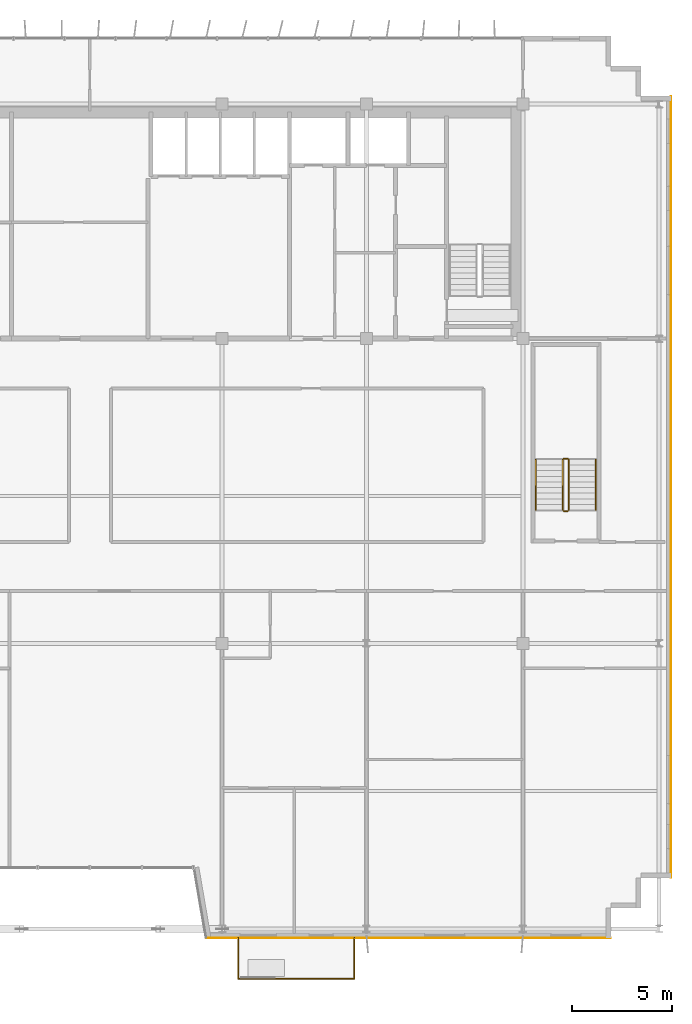
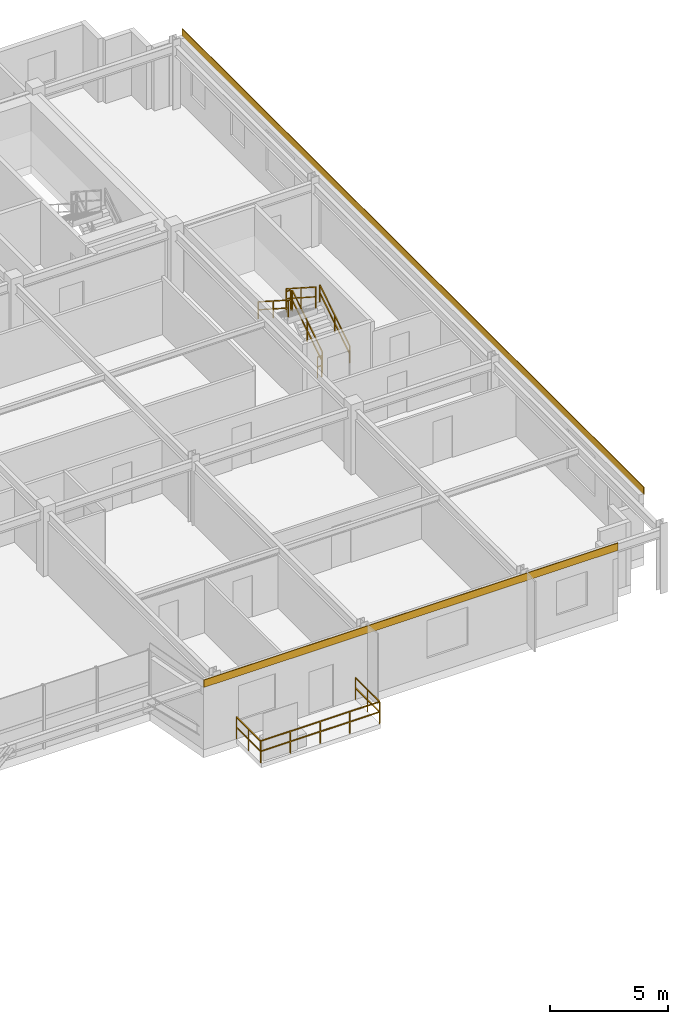
# One storey, part 27 of 28: 9 railings, 2 coverings.
"""IFC4 building model written with IfcOpenShell, lengths in metres."""

from ifc_helpers import new_model, si_unit, direction, frame, origin, origin_2d, place, context, subcontext, project, spatial, rectangle, extrude, source, transform, mapped, material, layer, layer_set, type_object, element, save


model = new_model("IFC4")

# Units and contexts
model_context = context("Model", 3, precision=1e-05, world=origin(), true_north=direction((0.0, 1.0)))
body_context = subcontext(model_context, "Body", "Model", "MODEL_VIEW")
ifc_project = project(units=[si_unit("LENGTHUNIT", "METRE"), si_unit("AREAUNIT", "SQUARE_METRE"), si_unit("VOLUMEUNIT", "CUBIC_METRE"), si_unit("PLANEANGLEUNIT", "RADIAN"), si_unit("MASSUNIT", "GRAM", prefix="KILO")], contexts=[model_context])

# Site, building, storey
site_placement = place(None, origin())
site = spatial("IfcSite", under=ifc_project, at=site_placement, CompositionType="ELEMENT")
building_placement = place(site_placement, origin())
building = spatial("IfcBuilding", under=site, at=building_placement, Name="Trelvane Seafront Commons", CompositionType="ELEMENT")
storey_placement = place(building_placement, frame((0.0, 0.0, 295.5)))
storey = spatial("IfcBuildingStorey", under=building, at=storey_placement, Name="L77", CompositionType="ELEMENT", Elevation=295.5)

# Railings
ifc_material_1 = material(Name="Stainless steel balustrade", Category="steel")
railing_type_1 = type_object("IfcRailingType", Name="ARCH-RAIL-BAL1150", PredefinedType="BALUSTRADE", material=ifc_material_1)
railing_1_placement = place(storey_placement, frame((44.60009765625, 3.5, 0.0)))
element("IfcRailing", 1, at=railing_1_placement, inside=storey, type_object=railing_type_1, Name="RL-L77-BAL1-01", PredefinedType="BALUSTRADE", context=body_context, shape_type="SweptSolid", body=[
    extrude(rectangle(XDim=0.048095703125, YDim=0.048095703125, at=origin_2d()), frame((0.0, 0.0, 1.1259765625), z_axis=(0.0, -1.0, 0.0), x_axis=(1.0, 0.0, 0.0)), (0.0, 0.0, 1.0), 2.0400390625),
    extrude(rectangle(XDim=0.048095703125, YDim=0.048095703125, at=origin_2d()), frame((0.0, 0.0, 0.597900390625), z_axis=(0.0, -1.0, 0.0), x_axis=(1.0, 0.0, 0.0)), (0.0, 0.0, 1.0), 2.0400390625),
    extrude(rectangle(XDim=0.0419921875, YDim=0.0419921875, at=origin_2d()), origin(), (0.0, 0.0, 1.0), 1.1259765625),
    extrude(rectangle(XDim=0.0419921875, YDim=0.0419921875, at=origin_2d()), frame((0.0, -1.02001953125, 0.0)), (0.0, 0.0, 1.0), 1.1259765625),
    extrude(rectangle(XDim=0.0419921875, YDim=0.0419921875, at=origin_2d()), frame((0.0, -2.0400390625, 0.0)), (0.0, 0.0, 1.0), 1.1259765625),
])
railing_2_placement = place(storey_placement, frame((44.60009765625, 1.4599609375, 0.0)))
element("IfcRailing", 2, at=railing_2_placement, inside=storey, type_object=railing_type_1, Name="RL-L77-BAL1-02", PredefinedType="BALUSTRADE", context=body_context, shape_type="SweptSolid", body=[
    extrude(rectangle(XDim=0.048095703125, YDim=0.048095703125, at=origin_2d()), frame((0.0, 0.0, 1.1259765625), z_axis=(1.0, 0.0, 0.0), x_axis=(0.0, 1.0, 0.0)), (0.0, 0.0, 1.0), 5.7998046875),
    extrude(rectangle(XDim=0.048095703125, YDim=0.048095703125, at=origin_2d()), frame((0.0, 0.0, 0.597900390625), z_axis=(1.0, 0.0, 0.0), x_axis=(0.0, 1.0, 0.0)), (0.0, 0.0, 1.0), 5.7998046875),
    extrude(rectangle(XDim=0.0419921875, YDim=0.0419921875, at=origin_2d()), origin(), (0.0, 0.0, 1.0), 1.1259765625),
    extrude(rectangle(XDim=0.0419921875, YDim=0.0419921875, at=origin_2d()), frame((1.449951171875, 0.0, 0.0)), (0.0, 0.0, 1.0), 1.1259765625),
    extrude(rectangle(XDim=0.0419921875, YDim=0.0419921875, at=origin_2d()), frame((2.89990234375, 0.0, 0.0)), (0.0, 0.0, 1.0), 1.1259765625),
    extrude(rectangle(XDim=0.0419921875, YDim=0.0419921875, at=origin_2d()), frame((4.349853515625, 0.0, 0.0)), (0.0, 0.0, 1.0), 1.1259765625),
    extrude(rectangle(XDim=0.0419921875, YDim=0.0419921875, at=origin_2d()), frame((5.7998046875, 0.0, 0.0)), (0.0, 0.0, 1.0), 1.1259765625),
])
railing_3_placement = place(storey_placement, frame((50.39990234375, 1.4599609375, 0.0)))
element("IfcRailing", 3, at=railing_3_placement, inside=storey, type_object=railing_type_1, Name="RL-L77-BAL1-03", PredefinedType="BALUSTRADE", context=body_context, shape_type="SweptSolid", body=[
    extrude(rectangle(XDim=0.048095703125, YDim=0.048095703125, at=origin_2d()), frame((0.0, 0.0, 1.1259765625), z_axis=(0.0, 1.0, 0.0), x_axis=(-1.0, 0.0, 0.0)), (0.0, 0.0, 1.0), 2.0400390625),
    extrude(rectangle(XDim=0.048095703125, YDim=0.048095703125, at=origin_2d()), frame((0.0, 0.0, 0.597900390625), z_axis=(0.0, 1.0, 0.0), x_axis=(-1.0, 0.0, 0.0)), (0.0, 0.0, 1.0), 2.0400390625),
    extrude(rectangle(XDim=0.0419921875, YDim=0.0419921875, at=origin_2d()), origin(), (0.0, 0.0, 1.0), 1.1259765625),
    extrude(rectangle(XDim=0.0419921875, YDim=0.0419921875, at=origin_2d()), frame((0.0, 1.02001953125, 0.0)), (0.0, 0.0, 1.0), 1.1259765625),
    extrude(rectangle(XDim=0.0419921875, YDim=0.0419921875, at=origin_2d()), frame((0.0, 2.0400390625, 0.0)), (0.0, 0.0, 1.0), 1.1259765625),
])
railing_type_2 = type_object("IfcRailingType", Name="ARCH-SRL-GUARD", PredefinedType="GUARDRAIL", material=ifc_material_1)
railing_4_placement = place(storey_placement, frame((61.10009765625, 24.85009765625, 0.179931640625)))
element("IfcRailing", 4, at=railing_4_placement, inside=storey, type_object=railing_type_2, Name="L77 ST-6 stair guard 1", PredefinedType="GUARDRAIL", context=body_context, shape_type="SweptSolid", body=[
    extrude(rectangle(XDim=0.048095703125, YDim=0.048095703125, at=origin_2d()), frame((0.0, 0.0, 1.076171875), z_axis=(0.0, 0.841162588446, 0.540782303519), x_axis=(-1.0, 0.0, 0.0)), (0.0, 0.0, 1.0), 2.995849609375),
    extrude(rectangle(XDim=0.048095703125, YDim=0.048095703125, at=origin_2d()), frame((0.0, 0.0, 0.572021484375), z_axis=(0.0, 0.841162588446, 0.540782303519), x_axis=(-1.0, 0.0, 0.0)), (0.0, 0.0, 1.0), 2.995849609375),
    extrude(rectangle(XDim=0.0419921875, YDim=0.0419921875, at=origin_2d()), origin(), (0.0, 0.0, 1.0), 1.076171875),
    extrude(rectangle(XDim=0.0419921875, YDim=0.0419921875, at=origin_2d()), frame((0.0, 1.260009765625, 0.81005859375)), (0.0, 0.0, 1.0), 1.076171875),
    extrude(rectangle(XDim=0.0419921875, YDim=0.0419921875, at=origin_2d()), frame((0.0, 2.52001953125, 1.6201171875)), (0.0, 0.0, 1.0), 1.076171875),
])
railing_5_placement = place(storey_placement, frame((61.050048828125, 27.419921875, 1.800048828125)))
element("IfcRailing", 5, at=railing_5_placement, inside=storey, type_object=railing_type_2, Name="L77 ST-6 stair guard 2", PredefinedType="GUARDRAIL", context=body_context, shape_type="SweptSolid", body=[
    extrude(rectangle(XDim=0.048095703125, YDim=0.048095703125, at=origin_2d()), frame((0.0, 0.0, 1.076171875), z_axis=(-1.0, 0.0, 0.0), x_axis=(0.0, -1.0, 0.0)), (0.0, 0.0, 1.0), 0.199951171875),
    extrude(rectangle(XDim=0.048095703125, YDim=0.048095703125, at=origin_2d()), frame((0.0, 0.0, 0.572021484375), z_axis=(-1.0, 0.0, 0.0), x_axis=(0.0, -1.0, 0.0)), (0.0, 0.0, 1.0), 0.199951171875),
    extrude(rectangle(XDim=0.0419921875, YDim=0.0419921875, at=origin_2d()), origin(), (0.0, 0.0, 1.0), 1.076171875),
    extrude(rectangle(XDim=0.0419921875, YDim=0.0419921875, at=origin_2d()), frame((-0.199951171875, 0.0, 0.0)), (0.0, 0.0, 1.0), 1.076171875),
])
railing_6_placement = place(storey_placement, frame((60.800048828125, 27.3701171875, 1.97998046875)))
element("IfcRailing", 6, at=railing_6_placement, inside=storey, type_object=railing_type_2, Name="L77 ST-6 stair guard 3", PredefinedType="GUARDRAIL", context=body_context, shape_type="SweptSolid", body=[
    extrude(rectangle(XDim=0.048095703125, YDim=0.048095703125, at=origin_2d()), frame((0.0, 0.0, 1.076171875), z_axis=(0.0, -0.841162588446, 0.540782303519), x_axis=(1.0, 0.0, 0.0)), (0.0, 0.0, 1.0), 2.995849609375),
    extrude(rectangle(XDim=0.048095703125, YDim=0.048095703125, at=origin_2d()), frame((0.0, 0.0, 0.572021484375), z_axis=(0.0, -0.841162588446, 0.540782303519), x_axis=(1.0, 0.0, 0.0)), (0.0, 0.0, 1.0), 2.995849609375),
    extrude(rectangle(XDim=0.0419921875, YDim=0.0419921875, at=origin_2d()), origin(), (0.0, 0.0, 1.0), 1.076171875),
    extrude(rectangle(XDim=0.0419921875, YDim=0.0419921875, at=origin_2d()), frame((0.0, -1.260009765625, 0.81005859375)), (0.0, 0.0, 1.0), 1.076171875),
    extrude(rectangle(XDim=0.0419921875, YDim=0.0419921875, at=origin_2d()), frame((0.0, -2.52001953125, 1.6201171875)), (0.0, 0.0, 1.0), 1.076171875),
])
railing_7_placement = place(storey_placement, frame((61.050048828125, 24.800048828125, 0.0)))
element("IfcRailing", 7, at=railing_7_placement, inside=storey, type_object=railing_type_2, Name="L77 ST-6 stair guard 4", PredefinedType="GUARDRAIL", context=body_context, shape_type="SweptSolid", body=[
    extrude(rectangle(XDim=0.048095703125, YDim=0.048095703125, at=origin_2d()), frame((0.0, 0.0, 1.076171875), z_axis=(-1.0, 0.0, 0.0), x_axis=(0.0, -1.0, 0.0)), (0.0, 0.0, 1.0), 0.199951171875),
    extrude(rectangle(XDim=0.048095703125, YDim=0.048095703125, at=origin_2d()), frame((0.0, 0.0, 0.572021484375), z_axis=(-1.0, 0.0, 0.0), x_axis=(0.0, -1.0, 0.0)), (0.0, 0.0, 1.0), 0.199951171875),
    extrude(rectangle(XDim=0.0419921875, YDim=0.0419921875, at=origin_2d()), origin(), (0.0, 0.0, 1.0), 1.076171875),
    extrude(rectangle(XDim=0.0419921875, YDim=0.0419921875, at=origin_2d()), frame((-0.199951171875, 0.0, 0.0)), (0.0, 0.0, 1.0), 1.076171875),
])
railing_type_3 = type_object("IfcRailingType", Name="ARCH-SRL-HAND", PredefinedType="HANDRAIL", material=ifc_material_1)
railing_8_placement = place(storey_placement, frame((62.449951171875, 24.85009765625, 0.179931640625)))
element("IfcRailing", 8, at=railing_8_placement, inside=storey, type_object=railing_type_3, Name="L77 ST-6 stair handrail 1", PredefinedType="HANDRAIL", context=body_context, shape_type="SweptSolid", body=[
    extrude(rectangle(XDim=0.048095703125, YDim=0.048095703125, at=origin_2d()), frame((0.0, 0.0, 0.8759765625), z_axis=(0.0, 0.841162588446, 0.540782303519), x_axis=(-1.0, 0.0, 0.0)), (0.0, 0.0, 1.0), 2.995849609375),
    extrude(rectangle(XDim=0.048095703125, YDim=0.048095703125, at=origin_2d()), frame((0.0, 0.0, 0.468017578125), z_axis=(0.0, 0.841162588446, 0.540782303519), x_axis=(-1.0, 0.0, 0.0)), (0.0, 0.0, 1.0), 2.995849609375),
    extrude(rectangle(XDim=0.0419921875, YDim=0.0419921875, at=origin_2d()), origin(), (0.0, 0.0, 1.0), 0.8759765625),
    extrude(rectangle(XDim=0.0419921875, YDim=0.0419921875, at=origin_2d()), frame((0.0, 1.260009765625, 0.81005859375)), (0.0, 0.0, 1.0), 0.8759765625),
    extrude(rectangle(XDim=0.0419921875, YDim=0.0419921875, at=origin_2d()), frame((0.0, 2.52001953125, 1.6201171875)), (0.0, 0.0, 1.0), 0.8759765625),
])
railing_9_placement = place(storey_placement, frame((59.449951171875, 27.3701171875, 1.97998046875)))
element("IfcRailing", 9, at=railing_9_placement, inside=storey, type_object=railing_type_3, Name="L77 ST-6 stair handrail 2", PredefinedType="HANDRAIL", context=body_context, shape_type="SweptSolid", body=[
    extrude(rectangle(XDim=0.048095703125, YDim=0.048095703125, at=origin_2d()), frame((0.0, 0.0, 0.8759765625), z_axis=(0.0, -0.841162588446, 0.540782303519), x_axis=(1.0, 0.0, 0.0)), (0.0, 0.0, 1.0), 2.995849609375),
    extrude(rectangle(XDim=0.048095703125, YDim=0.048095703125, at=origin_2d()), frame((0.0, 0.0, 0.468017578125), z_axis=(0.0, -0.841162588446, 0.540782303519), x_axis=(1.0, 0.0, 0.0)), (0.0, 0.0, 1.0), 2.995849609375),
    extrude(rectangle(XDim=0.0419921875, YDim=0.0419921875, at=origin_2d()), origin(), (0.0, 0.0, 1.0), 0.8759765625),
    extrude(rectangle(XDim=0.0419921875, YDim=0.0419921875, at=origin_2d()), frame((0.0, -1.260009765625, 0.81005859375)), (0.0, 0.0, 1.0), 0.8759765625),
    extrude(rectangle(XDim=0.0419921875, YDim=0.0419921875, at=origin_2d()), frame((0.0, -2.52001953125, 1.6201171875)), (0.0, 0.0, 1.0), 0.8759765625),
])

# Coverings
ifc_material_2 = material(Name="Anodised pale-silver aluminium", Category="aluminium")
ifc_layer = layer(ifc_material_2, 0.034912109375, Name="ARCH-COV-CLAD35")
ifc_layer_set = layer_set([ifc_layer], Name="Anodised pale-silver aluminium")
covering_type = type_object("IfcCoveringType", Name="ARCH-COV-CLAD35", PredefinedType="CLADDING", material=ifc_layer_set)
shared_shape_1 = source(origin(), body_context, "Body", "SweptSolid", [
    extrude(rectangle(XDim=39.0, YDim=0.034912109375, at=origin_2d()), origin(), (0.0, 0.0, 1.0), 0.3798828125),
])
covering_1_placement = place(storey_placement, frame((66.199951171875, 26.0, 3.219970703125), z_axis=(0.0, 0.0, 1.0), x_axis=(0.0, -1.0, 0.0)))
element("IfcCovering", 10, at=covering_1_placement, inside=storey, type_object=covering_type, Name="CLD-L77-00310", PredefinedType="CLADDING", context=body_context, shape_type="MappedRepresentation", body=[
    mapped(shared_shape_1, transform((0.0, 0.0, 0.0), x_axis=(1.0, 0.0, 0.0), y_axis=(0.0, 1.0, 0.0), z_axis=(0.0, 0.0, 1.0), scale=1.0)),
])
shared_shape_2 = source(origin(), body_context, "Body", "SweptSolid", [
    extrude(rectangle(XDim=20.199951171875, YDim=0.034912109375, at=origin_2d()), origin(), (0.0, 0.0, 1.0), 0.3798828125),
])
covering_2_placement = place(storey_placement, frame((53.10009765625, 3.5, 3.219970703125), z_axis=(0.0, 0.0, 1.0), x_axis=(-1.0, 0.0, 0.0)))
element("IfcCovering", 11, at=covering_2_placement, inside=storey, type_object=covering_type, Name="CLD-L77-00311", PredefinedType="CLADDING", context=body_context, shape_type="MappedRepresentation", body=[
    mapped(shared_shape_2, transform((0.0, 0.0, 0.0), x_axis=(1.0, 0.0, 0.0), y_axis=(0.0, 1.0, 0.0), z_axis=(0.0, 0.0, 1.0), scale=1.0)),
])

save(model, "model.ifc")
